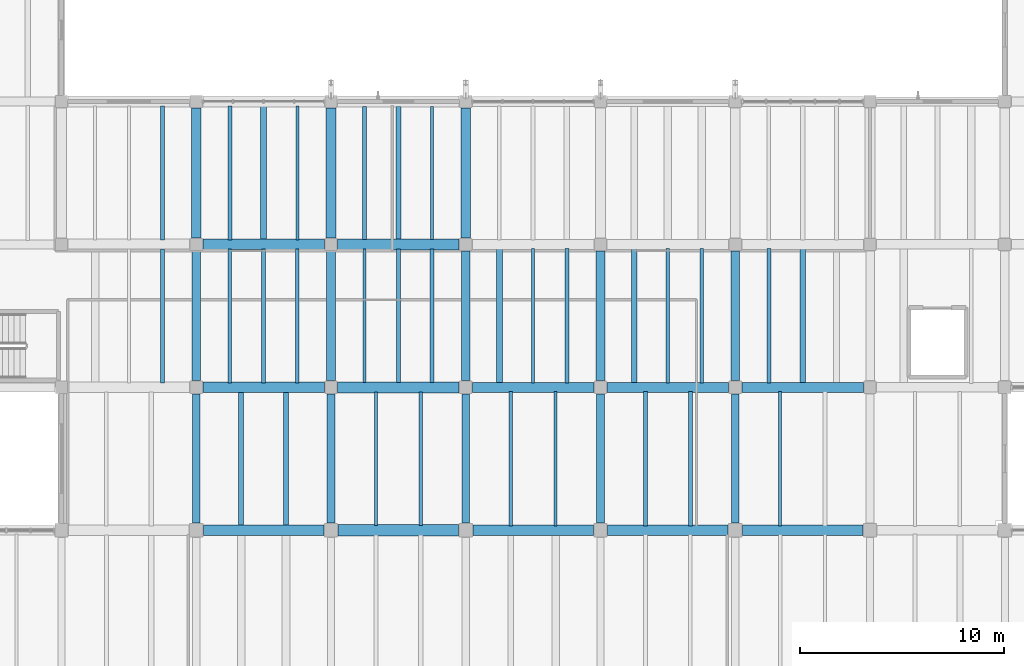
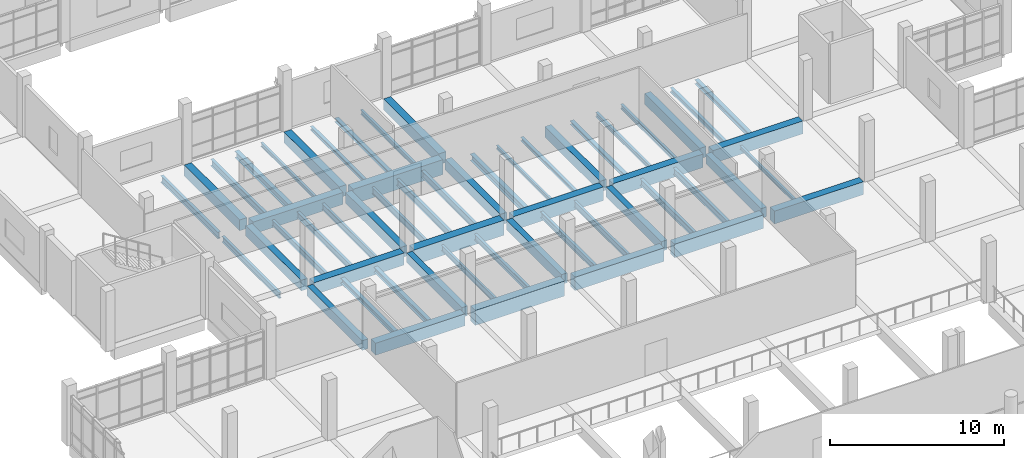
# One storey, part 17 of 68: 56 beams.
"""IFC4 building model written with IfcOpenShell, lengths in metres."""

from ifc_helpers import new_model, si_unit, direction, frame, origin, origin_2d, place, context, subcontext, project, spatial, rectangle, i_section, extrude, material, material_profile, profile_set, type_object, element, save


model = new_model("IFC4")

# Units and contexts
model_context = context("Model", 3, precision=1e-05, world=origin(), true_north=direction((0.0, 1.0)))
body_context = subcontext(model_context, "Body", "Model", "MODEL_VIEW")
ifc_project = project(units=[si_unit("LENGTHUNIT", "METRE"), si_unit("AREAUNIT", "SQUARE_METRE"), si_unit("VOLUMEUNIT", "CUBIC_METRE"), si_unit("PLANEANGLEUNIT", "RADIAN"), si_unit("MASSUNIT", "GRAM", prefix="KILO")], contexts=[model_context])

# Site, building, storey
site_placement = place(None, origin())
site = spatial("IfcSite", under=ifc_project, at=site_placement, CompositionType="ELEMENT")
building_placement = place(site_placement, origin())
building = spatial("IfcBuilding", under=site, at=building_placement, Name="Ciguamira Faculty of Natural Sciences", CompositionType="ELEMENT")
storey_placement = place(building_placement, frame((0.0, 0.0, 4.199951171875)))
storey = spatial("IfcBuildingStorey", under=building, at=storey_placement, Name="L01", CompositionType="ELEMENT", Elevation=4.199951171875)

# Beams
ifc_material_1 = material(Name="Concrete C40/50", Category="concrete")
ifc_material_profile_1 = material_profile(ifc_material_1, rectangle(XDim=0.550048828125, YDim=1.050048828125, at=origin_2d()), Name="RC-BM-550X1050")
ifc_profile_set_1 = profile_set([ifc_material_profile_1], Name="Concrete C40/50")
beam_type_1 = type_object("IfcBeamType", Name="RCBeam_BG-01_RC-BM-550X1050", PredefinedType="BEAM", material=ifc_profile_set_1)
beam_1_placement = place(storey_placement, frame((77.449951171875, 38.0, -0.52490234375), z_axis=(1.0, 0.0, 0.0), x_axis=(0.0, 1.0, 0.0)))
element("IfcBeam", 1, at=beam_1_placement, inside=storey, type_object=beam_type_1, Name="L01 RC girder EW-0450", PredefinedType="BEAM", context=body_context, shape_type="SweptSolid", body=[
    extrude(rectangle(XDim=0.550048828125, YDim=1.050048828125, at=origin_2d()), origin(), (0.0, 0.0, 1.0), 5.900146484375),
])
for number, where, z_axis, x_axis, name in (
    (2, (77.425048828125, 45.0, -0.52490234375), (1.0, 0.0, 0.0), (0.0, 1.0, 0.0), "L01 RC girder EW-0460"),
    (3, (77.425048828125, 52.0, -0.52490234375), (1.0, 0.0, 0.0), (0.0, 1.0, 0.0), "L01 RC girder EW-0469"),
):
    element("IfcBeam", number, at=place(storey_placement, frame(where, z_axis=z_axis, x_axis=x_axis)), inside=storey, type_object=beam_type_1, Name=name, PredefinedType="BEAM", context=body_context, shape_type="SweptSolid", body=[
        extrude(rectangle(XDim=0.550048828125, YDim=1.050048828125, at=origin_2d()), origin(), (0.0, 0.0, 1.0), 5.949951171875),
    ])
ifc_material_profile_2 = material_profile(ifc_material_1, rectangle(XDim=0.5, YDim=0.949951171875, at=origin_2d()), Name="RC-BM-500X950")
ifc_profile_set_2 = profile_set([ifc_material_profile_2], Name="Concrete C40/50")
beam_type_2 = type_object("IfcBeamType", Name="RCBeam_BG-02_RC-BM-500X950", PredefinedType="BEAM", material=ifc_profile_set_2)
beam_2_placement = place(storey_placement, frame((84.050048828125, 38.0, -0.474853515625), z_axis=(1.0, 0.0, 0.0), x_axis=(0.0, 1.0, 0.0)))
element("IfcBeam", 4, at=beam_2_placement, inside=storey, type_object=beam_type_2, Name="L01 RC girder EW-0451", PredefinedType="BEAM", context=body_context, shape_type="SweptSolid", body=[
    extrude(rectangle(XDim=0.5, YDim=0.949951171875, at=origin_2d()), origin(), (0.0, 0.0, 1.0), 5.89990234375),
])
beam_3_placement = place(storey_placement, frame((90.64990234375, 38.0, -0.474853515625), z_axis=(1.0, 0.0, 0.0), x_axis=(0.0, 1.0, 0.0)))
element("IfcBeam", 5, at=beam_3_placement, inside=storey, type_object=beam_type_2, Name="L01 RC girder EW-0452", PredefinedType="BEAM", context=body_context, shape_type="SweptSolid", body=[
    extrude(rectangle(XDim=0.5, YDim=0.949951171875, at=origin_2d()), origin(), (0.0, 0.0, 1.0), 5.900146484375),
])
beam_4_placement = place(storey_placement, frame((84.02490234375, 45.0, -0.474853515625), z_axis=(1.0, 0.0, 0.0), x_axis=(0.0, 1.0, 0.0)))
element("IfcBeam", 6, at=beam_4_placement, inside=storey, type_object=beam_type_2, Name="L01 RC girder EW-0461", PredefinedType="BEAM", context=body_context, shape_type="SweptSolid", body=[
    extrude(rectangle(XDim=0.5, YDim=0.949951171875, at=origin_2d()), origin(), (0.0, 0.0, 1.0), 5.9501953125),
])
beam_5_placement = place(storey_placement, frame((90.625, 45.0, -0.474853515625), z_axis=(1.0, 0.0, 0.0), x_axis=(0.0, 1.0, 0.0)))
element("IfcBeam", 7, at=beam_5_placement, inside=storey, type_object=beam_type_2, Name="L01 RC girder EW-0462", PredefinedType="BEAM", context=body_context, shape_type="SweptSolid", body=[
    extrude(rectangle(XDim=0.5, YDim=0.949951171875, at=origin_2d()), origin(), (0.0, 0.0, 1.0), 5.949951171875),
])
ifc_material_profile_3 = material_profile(ifc_material_1, rectangle(XDim=0.5, YDim=0.89990234375, at=origin_2d()), Name="RC-BM-500X900")
ifc_profile_set_3 = profile_set([ifc_material_profile_3], Name="Concrete C40/50")
beam_type_3 = type_object("IfcBeamType", Name="RCBeam_BG-03_RC-BM-500X900", PredefinedType="BEAM", material=ifc_profile_set_3)
beam_6_placement = place(storey_placement, frame((97.25, 38.0, -0.449951171875), z_axis=(1.0, 0.0, 0.0), x_axis=(0.0, 1.0, 0.0)))
element("IfcBeam", 8, at=beam_6_placement, inside=storey, type_object=beam_type_3, Name="L01 RC girder EW-0453", PredefinedType="BEAM", context=body_context, shape_type="SweptSolid", body=[
    extrude(rectangle(XDim=0.5, YDim=0.89990234375, at=origin_2d()), origin(), (0.0, 0.0, 1.0), 5.89990234375),
])
beam_7_placement = place(storey_placement, frame((97.22509765625, 45.0, -0.449951171875), z_axis=(1.0, 0.0, 0.0), x_axis=(0.0, 1.0, 0.0)))
element("IfcBeam", 9, at=beam_7_placement, inside=storey, type_object=beam_type_3, Name="L01 RC girder EW-0463", PredefinedType="BEAM", context=body_context, shape_type="SweptSolid", body=[
    extrude(rectangle(XDim=0.5, YDim=0.89990234375, at=origin_2d()), origin(), (0.0, 0.0, 1.0), 5.949951171875),
])
ifc_material_profile_4 = material_profile(ifc_material_1, rectangle(XDim=0.419921875, YDim=0.739990234375, at=origin_2d()), Name="RC-BM-420X740")
ifc_profile_set_4 = profile_set([ifc_material_profile_4], Name="Concrete C40/50")
beam_type_4 = type_object("IfcBeamType", Name="RCBeam_BG-07_RC-BM-420X740", PredefinedType="BEAM", material=ifc_profile_set_4)
for number, where, z_axis, x_axis, name in (
    (10, (70.5, 45.324951171875, -0.369873046875), (0.0, 1.0, 0.0), (-1.0, 0.0, 0.0), "L01 girder NS-0600"),
    (11, (77.10009765625, 45.324951171875, -0.369873046875), (0.0, 1.0, 0.0), (-1.0, 0.0, 0.0), "L01 girder NS-0611"),
    (12, (83.699951171875, 45.324951171875, -0.369873046875), (0.0, 1.0, 0.0), (-1.0, 0.0, 0.0), "L01 girder NS-0622"),
    (13, (90.300048828125, 45.324951171875, -0.369873046875), (0.0, 1.0, 0.0), (-1.0, 0.0, 0.0), "L01 girder NS-0634"),
    (14, (96.89990234375, 45.324951171875, -0.369873046875), (0.0, 1.0, 0.0), (-1.0, 0.0, 0.0), "L01 girder NS-0646"),
):
    element("IfcBeam", number, at=place(storey_placement, frame(where, z_axis=z_axis, x_axis=x_axis)), inside=storey, type_object=beam_type_4, Name=name, PredefinedType="BEAM", context=body_context, shape_type="SweptSolid", body=[
        extrude(rectangle(XDim=0.419921875, YDim=0.739990234375, at=origin_2d()), origin(), (0.0, 0.0, 1.0), 6.35009765625),
    ])
ifc_material_profile_5 = material_profile(ifc_material_1, rectangle(XDim=0.3798828125, YDim=0.679931640625, at=origin_2d()), Name="RC-BM-380X680")
ifc_profile_set_5 = profile_set([ifc_material_profile_5], Name="Concrete C40/50")
beam_type_5 = type_object("IfcBeamType", Name="RCBeam_BG-09_RC-BM-380X680", PredefinedType="BEAM", material=ifc_profile_set_5)
for number, where, z_axis, x_axis, name in (
    (15, (70.5, 38.35009765625, -0.33984375), (0.0, 1.0, 0.0), (-1.0, 0.0, 0.0), "L01 girder NS-0599"),
    (16, (77.10009765625, 38.35009765625, -0.33984375), (0.0, 1.0, 0.0), (-1.0, 0.0, 0.0), "L01 girder NS-0610"),
    (17, (83.699951171875, 38.35009765625, -0.33984375), (0.0, 1.0, 0.0), (-1.0, 0.0, 0.0), "L01 girder NS-0621"),
    (18, (90.300048828125, 38.35009765625, -0.33984375), (0.0, 1.0, 0.0), (-1.0, 0.0, 0.0), "L01 girder NS-0633"),
    (19, (96.89990234375, 38.35009765625, -0.33984375), (0.0, 1.0, 0.0), (-1.0, 0.0, 0.0), "L01 girder NS-0645"),
):
    element("IfcBeam", number, at=place(storey_placement, frame(where, z_axis=z_axis, x_axis=x_axis)), inside=storey, type_object=beam_type_5, Name=name, PredefinedType="BEAM", context=body_context, shape_type="SweptSolid", body=[
        extrude(rectangle(XDim=0.3798828125, YDim=0.679931640625, at=origin_2d()), origin(), (0.0, 0.0, 1.0), 6.324951171875),
    ])
ifc_material_profile_6 = material_profile(ifc_material_1, rectangle(XDim=0.47998046875, YDim=0.760009765625, at=origin_2d()), Name="RC-TB-480X760")
ifc_profile_set_6 = profile_set([ifc_material_profile_6], Name="Concrete C40/50")
beam_type_6 = type_object("IfcBeamType", Name="RCBeam_TB-01_RC-TB-480X760", PredefinedType="T_BEAM", material=ifc_profile_set_6)
for number, where, z_axis, x_axis, name in (
    (20, (70.5, 52.324951171875, -0.3798828125), (0.0, 1.0, 0.0), (-1.0, 0.0, 0.0), "L01 girder NS-0601"),
    (21, (77.10009765625, 52.324951171875, -0.3798828125), (0.0, 1.0, 0.0), (-1.0, 0.0, 0.0), "L01 girder NS-0612"),
    (22, (83.699951171875, 52.324951171875, -0.3798828125), (0.0, 1.0, 0.0), (-1.0, 0.0, 0.0), "L01 girder NS-0623"),
):
    element("IfcBeam", number, at=place(storey_placement, frame(where, z_axis=z_axis, x_axis=x_axis)), inside=storey, type_object=beam_type_6, Name=name, PredefinedType="T_BEAM", context=body_context, shape_type="SweptSolid", body=[
        extrude(rectangle(XDim=0.47998046875, YDim=0.760009765625, at=origin_2d()), origin(), (0.0, 0.0, 1.0), 6.35009765625),
    ])
ifc_material_profile_7 = material_profile(ifc_material_1, rectangle(XDim=0.52001953125, YDim=0.840087890625, at=origin_2d()), Name="RC-TB-520X840")
ifc_profile_set_7 = profile_set([ifc_material_profile_7], Name="Concrete C40/50")
beam_type_7 = type_object("IfcBeamType", Name="RCBeam_TB-02_RC-TB-520X840", PredefinedType="T_BEAM", material=ifc_profile_set_7)
beam_8_placement = place(storey_placement, frame((70.85009765625, 38.0, -0.419921875), z_axis=(1.0, 0.0, 0.0), x_axis=(0.0, 1.0, 0.0)))
element("IfcBeam", 23, at=beam_8_placement, inside=storey, type_object=beam_type_7, Name="L01 RC girder EW-0449", PredefinedType="T_BEAM", context=body_context, shape_type="SweptSolid", body=[
    extrude(rectangle(XDim=0.52001953125, YDim=0.840087890625, at=origin_2d()), origin(), (0.0, 0.0, 1.0), 5.89990234375),
])
for number, where, z_axis, x_axis, name in (
    (24, (70.824951171875, 45.0, -0.419921875), (1.0, 0.0, 0.0), (0.0, 1.0, 0.0), "L01 RC girder EW-0459"),
    (25, (70.824951171875, 52.0, -0.419921875), (1.0, 0.0, 0.0), (0.0, 1.0, 0.0), "L01 RC girder EW-0468"),
):
    element("IfcBeam", number, at=place(storey_placement, frame(where, z_axis=z_axis, x_axis=x_axis)), inside=storey, type_object=beam_type_7, Name=name, PredefinedType="T_BEAM", context=body_context, shape_type="SweptSolid", body=[
        extrude(rectangle(XDim=0.52001953125, YDim=0.840087890625, at=origin_2d()), origin(), (0.0, 0.0, 1.0), 5.949951171875),
    ])
ifc_material_2 = material(Name="Steel ASTM A992 Grade 50", Category="steel")
ifc_material_profile_8 = material_profile(ifc_material_2, i_section(OverallWidth=0.14599609375, OverallDepth=0.259033203125, WebThickness=0.006103515625, FlangeThickness=0.009033203125, at=origin_2d()), Name="W10X22")
ifc_profile_set_8 = profile_set([ifc_material_profile_8], Name="Steel ASTM A992 Grade 50")
beam_type_8 = type_object("IfcBeamType", Name="SteelJoist_SJ-01_W10X22", PredefinedType="JOIST", material=ifc_profile_set_8)
beam_9_placement = place(storey_placement, frame((75.449951171875, 52.219970703125, -0.409423828125), z_axis=(0.0, 1.0, 0.0), x_axis=(-1.0, 0.0, 0.0)))
element("IfcBeam", 26, at=beam_9_placement, inside=storey, type_object=beam_type_8, Name="L01 composite steel joist 00454", PredefinedType="JOIST", context=body_context, shape_type="SweptSolid", body=[
    extrude(i_section(OverallWidth=0.14599609375, OverallDepth=0.259033203125, WebThickness=0.006103515625, FlangeThickness=0.009033203125, at=origin_2d()), origin(), (0.0, 0.0, 1.0), 6.56005859375),
])
for number, where, z_axis, x_axis, name in (
    (27, (87.0, 45.2099609375, -0.409423828125), (0.0, 1.0, 0.0), (-1.0, 0.0, 0.0), "L01 composite steel joist 00501"),
    (28, (99.10009765625, 38.2099609375, -0.409423828125), (0.0, 1.0, 0.0), (-1.0, 0.0, 0.0), "L01 composite steel joist 00549"),
):
    element("IfcBeam", number, at=place(storey_placement, frame(where, z_axis=z_axis, x_axis=x_axis)), inside=storey, type_object=beam_type_8, Name=name, PredefinedType="JOIST", context=body_context, shape_type="SweptSolid", body=[
        extrude(i_section(OverallWidth=0.14599609375, OverallDepth=0.259033203125, WebThickness=0.006103515625, FlangeThickness=0.009033203125, at=origin_2d()), origin(), (0.0, 0.0, 1.0), 6.580078125),
    ])
ifc_material_profile_9 = material_profile(ifc_material_2, i_section(OverallWidth=0.2021484375, OverallDepth=0.2470703125, WebThickness=0.00732421875, FlangeThickness=0.010986328125, at=origin_2d()), Name="W10X33")
ifc_profile_set_9 = profile_set([ifc_material_profile_9], Name="Steel ASTM A992 Grade 50")
beam_type_9 = type_object("IfcBeamType", Name="SteelJoist_SJ-02_W10X33", PredefinedType="JOIST", material=ifc_profile_set_9)
beam_10_placement = place(storey_placement, frame((78.75, 52.235107421875, -0.403564453125), z_axis=(0.0, 1.0, 0.0), x_axis=(-1.0, 0.0, 0.0)))
element("IfcBeam", 29, at=beam_10_placement, inside=storey, type_object=beam_type_9, Name="L01 composite steel joist 00477", PredefinedType="JOIST", context=body_context, shape_type="SweptSolid", body=[
    extrude(i_section(OverallWidth=0.2021484375, OverallDepth=0.2470703125, WebThickness=0.00732421875, FlangeThickness=0.010986328125, at=origin_2d()), origin(), (0.0, 0.0, 1.0), 6.52978515625),
])
beam_11_placement = place(storey_placement, frame((88.64990234375, 45.2099609375, -0.403564453125), z_axis=(0.0, 1.0, 0.0), x_axis=(-1.0, 0.0, 0.0)))
element("IfcBeam", 30, at=beam_11_placement, inside=storey, type_object=beam_type_9, Name="L01 composite steel joist 00502", PredefinedType="JOIST", context=body_context, shape_type="SweptSolid", body=[
    extrude(i_section(OverallWidth=0.2021484375, OverallDepth=0.2470703125, WebThickness=0.00732421875, FlangeThickness=0.010986328125, at=origin_2d()), origin(), (0.0, 0.0, 1.0), 6.580078125),
])
ifc_material_profile_10 = material_profile(ifc_material_2, i_section(OverallWidth=0.25390625, OverallDepth=0.25390625, WebThickness=0.008544921875, FlangeThickness=0.01416015625, at=origin_2d()), Name="W10X49")
ifc_profile_set_10 = profile_set([ifc_material_profile_10], Name="Steel ASTM A992 Grade 50")
beam_type_10 = type_object("IfcBeamType", Name="SteelJoist_SJ-03_W10X49", PredefinedType="JOIST", material=ifc_profile_set_10)
beam_12_placement = place(storey_placement, frame((80.39990234375, 52.235107421875, -0.406982421875), z_axis=(0.0, 1.0, 0.0), x_axis=(-1.0, 0.0, 0.0)))
element("IfcBeam", 31, at=beam_12_placement, inside=storey, type_object=beam_type_10, Name="L01 composite steel joist 00478", PredefinedType="JOIST", context=body_context, shape_type="SweptSolid", body=[
    extrude(i_section(OverallWidth=0.25390625, OverallDepth=0.25390625, WebThickness=0.008544921875, FlangeThickness=0.01416015625, at=origin_2d()), origin(), (0.0, 0.0, 1.0), 6.52978515625),
])
beam_13_placement = place(storey_placement, frame((91.949951171875, 45.2099609375, -0.406982421875), z_axis=(0.0, 1.0, 0.0), x_axis=(-1.0, 0.0, 0.0)))
element("IfcBeam", 32, at=beam_13_placement, inside=storey, type_object=beam_type_10, Name="L01 composite steel joist 00525", PredefinedType="JOIST", context=body_context, shape_type="SweptSolid", body=[
    extrude(i_section(OverallWidth=0.25390625, OverallDepth=0.25390625, WebThickness=0.008544921875, FlangeThickness=0.01416015625, at=origin_2d()), origin(), (0.0, 0.0, 1.0), 6.580078125),
])
ifc_material_profile_11 = material_profile(ifc_material_2, i_section(OverallWidth=0.164794921875, OverallDepth=0.309814453125, WebThickness=0.005859375, FlangeThickness=0.009765625, at=origin_2d()), Name="W12X26")
ifc_profile_set_11 = profile_set([ifc_material_profile_11], Name="Steel ASTM A992 Grade 50")
beam_type_11 = type_object("IfcBeamType", Name="SteelJoist_SJ-04_W12X26", PredefinedType="JOIST", material=ifc_profile_set_11)
beam_14_placement = place(storey_placement, frame((82.050048828125, 52.235107421875, -0.434814453125), z_axis=(0.0, 1.0, 0.0), x_axis=(-1.0, 0.0, 0.0)))
element("IfcBeam", 33, at=beam_14_placement, inside=storey, type_object=beam_type_11, Name="L01 composite steel joist 00479", PredefinedType="JOIST", context=body_context, shape_type="SweptSolid", body=[
    extrude(i_section(OverallWidth=0.164794921875, OverallDepth=0.309814453125, WebThickness=0.005859375, FlangeThickness=0.009765625, at=origin_2d()), origin(), (0.0, 0.0, 1.0), 6.52978515625),
])
beam_15_placement = place(storey_placement, frame((93.60009765625, 45.2099609375, -0.434814453125), z_axis=(0.0, 1.0, 0.0), x_axis=(-1.0, 0.0, 0.0)))
element("IfcBeam", 34, at=beam_15_placement, inside=storey, type_object=beam_type_11, Name="L01 composite steel joist 00526", PredefinedType="JOIST", context=body_context, shape_type="SweptSolid", body=[
    extrude(i_section(OverallWidth=0.164794921875, OverallDepth=0.309814453125, WebThickness=0.005859375, FlangeThickness=0.009765625, at=origin_2d()), origin(), (0.0, 0.0, 1.0), 6.580078125),
])
ifc_material_profile_12 = material_profile(ifc_material_2, i_section(OverallWidth=0.16650390625, OverallDepth=0.3173828125, WebThickness=0.007568359375, FlangeThickness=0.01318359375, at=origin_2d()), Name="W12X35")
ifc_profile_set_12 = profile_set([ifc_material_profile_12], Name="Steel ASTM A992 Grade 50")
beam_type_12 = type_object("IfcBeamType", Name="SteelJoist_SJ-05_W12X35", PredefinedType="JOIST", material=ifc_profile_set_12)
beam_16_placement = place(storey_placement, frame((95.25, 45.2099609375, -0.438720703125), z_axis=(0.0, 1.0, 0.0), x_axis=(-1.0, 0.0, 0.0)))
element("IfcBeam", 35, at=beam_16_placement, inside=storey, type_object=beam_type_12, Name="L01 composite steel joist 00527", PredefinedType="JOIST", context=body_context, shape_type="SweptSolid", body=[
    extrude(i_section(OverallWidth=0.16650390625, OverallDepth=0.3173828125, WebThickness=0.007568359375, FlangeThickness=0.01318359375, at=origin_2d()), origin(), (0.0, 0.0, 1.0), 6.580078125),
])
ifc_material_profile_13 = material_profile(ifc_material_2, i_section(OverallWidth=0.20458984375, OverallDepth=0.307373046875, WebThickness=0.008544921875, FlangeThickness=0.0146484375, at=origin_2d()), Name="W12X45")
ifc_profile_set_13 = profile_set([ifc_material_profile_13], Name="Steel ASTM A992 Grade 50")
beam_type_13 = type_object("IfcBeamType", Name="SteelJoist_SJ-06_W12X45", PredefinedType="JOIST", material=ifc_profile_set_13)
beam_17_placement = place(storey_placement, frame((98.550048828125, 45.2099609375, -0.43359375), z_axis=(0.0, 1.0, 0.0), x_axis=(-1.0, 0.0, 0.0)))
element("IfcBeam", 36, at=beam_17_placement, inside=storey, type_object=beam_type_13, Name="L01 composite steel joist 00551", PredefinedType="JOIST", context=body_context, shape_type="SweptSolid", body=[
    extrude(i_section(OverallWidth=0.20458984375, OverallDepth=0.307373046875, WebThickness=0.008544921875, FlangeThickness=0.0146484375, at=origin_2d()), origin(), (0.0, 0.0, 1.0), 6.580078125),
])
ifc_material_profile_14 = material_profile(ifc_material_2, i_section(OverallWidth=0.25390625, OverallDepth=0.307373046875, WebThickness=0.0087890625, FlangeThickness=0.0146484375, at=origin_2d()), Name="W12X53")
ifc_profile_set_14 = profile_set([ifc_material_profile_14], Name="Steel ASTM A992 Grade 50")
beam_type_14 = type_object("IfcBeamType", Name="SteelJoist_SJ-07_W12X53", PredefinedType="JOIST", material=ifc_profile_set_14)
beam_18_placement = place(storey_placement, frame((100.199951171875, 45.2099609375, -0.43359375), z_axis=(0.0, 1.0, 0.0), x_axis=(-1.0, 0.0, 0.0)))
element("IfcBeam", 37, at=beam_18_placement, inside=storey, type_object=beam_type_14, Name="L01 composite steel joist 00552", PredefinedType="JOIST", context=body_context, shape_type="SweptSolid", body=[
    extrude(i_section(OverallWidth=0.25390625, OverallDepth=0.307373046875, WebThickness=0.0087890625, FlangeThickness=0.0146484375, at=origin_2d()), origin(), (0.0, 0.0, 1.0), 6.580078125),
])
ifc_material_profile_15 = material_profile(ifc_material_2, i_section(OverallWidth=0.25390625, OverallDepth=0.355712890625, WebThickness=0.010498046875, FlangeThickness=0.018310546875, at=origin_2d()), Name="W14X68")
ifc_profile_set_15 = profile_set([ifc_material_profile_15], Name="Steel ASTM A992 Grade 50")
beam_type_15 = type_object("IfcBeamType", Name="SteelJoist_SJ-14_W14X68", PredefinedType="JOIST", material=ifc_profile_set_15)
beam_19_placement = place(storey_placement, frame((72.699951171875, 38.219970703125, -0.457763671875), z_axis=(0.0, 1.0, 0.0), x_axis=(-1.0, 0.0, 0.0)))
element("IfcBeam", 38, at=beam_19_placement, inside=storey, type_object=beam_type_15, Name="L01 composite steel joist 00447", PredefinedType="JOIST", context=body_context, shape_type="SweptSolid", body=[
    extrude(i_section(OverallWidth=0.25390625, OverallDepth=0.355712890625, WebThickness=0.010498046875, FlangeThickness=0.018310546875, at=origin_2d()), origin(), (0.0, 0.0, 1.0), 6.56005859375),
])
ifc_material_profile_16 = material_profile(ifc_material_2, i_section(OverallWidth=0.256591796875, OverallDepth=0.36328125, WebThickness=0.012939453125, FlangeThickness=0.021728515625, at=origin_2d()), Name="W14X82")
ifc_profile_set_16 = profile_set([ifc_material_profile_16], Name="Steel ASTM A992 Grade 50")
beam_type_16 = type_object("IfcBeamType", Name="SteelJoist_SJ-15_W14X82", PredefinedType="JOIST", material=ifc_profile_set_16)
beam_20_placement = place(storey_placement, frame((74.89990234375, 38.219970703125, -0.461669921875), z_axis=(0.0, 1.0, 0.0), x_axis=(-1.0, 0.0, 0.0)))
element("IfcBeam", 39, at=beam_20_placement, inside=storey, type_object=beam_type_16, Name="L01 composite steel joist 00448", PredefinedType="JOIST", context=body_context, shape_type="SweptSolid", body=[
    extrude(i_section(OverallWidth=0.256591796875, OverallDepth=0.36328125, WebThickness=0.012939453125, FlangeThickness=0.021728515625, at=origin_2d()), origin(), (0.0, 0.0, 1.0), 6.56005859375),
])
ifc_material_profile_17 = material_profile(ifc_material_2, i_section(OverallWidth=0.140380859375, OverallDepth=0.40380859375, WebThickness=0.007080078125, FlangeThickness=0.01123046875, at=origin_2d()), Name="W16X31")
ifc_profile_set_17 = profile_set([ifc_material_profile_17], Name="Steel ASTM A992 Grade 50")
beam_type_17 = type_object("IfcBeamType", Name="SteelJoist_SJ-17_W16X31", PredefinedType="JOIST", material=ifc_profile_set_17)
beam_21_placement = place(storey_placement, frame((79.300048828125, 38.235107421875, -0.48193359375), z_axis=(0.0, 1.0, 0.0), x_axis=(-1.0, 0.0, 0.0)))
element("IfcBeam", 40, at=beam_21_placement, inside=storey, type_object=beam_type_17, Name="L01 composite steel joist 00472", PredefinedType="JOIST", context=body_context, shape_type="SweptSolid", body=[
    extrude(i_section(OverallWidth=0.140380859375, OverallDepth=0.40380859375, WebThickness=0.007080078125, FlangeThickness=0.01123046875, at=origin_2d()), origin(), (0.0, 0.0, 1.0), 6.52978515625),
])
ifc_material_profile_18 = material_profile(ifc_material_2, i_section(OverallWidth=0.177490234375, OverallDepth=0.40380859375, WebThickness=0.007568359375, FlangeThickness=0.010986328125, at=origin_2d()), Name="W16X36")
ifc_profile_set_18 = profile_set([ifc_material_profile_18], Name="Steel ASTM A992 Grade 50")
beam_type_18 = type_object("IfcBeamType", Name="SteelJoist_SJ-18_W16X36", PredefinedType="JOIST", material=ifc_profile_set_18)
beam_22_placement = place(storey_placement, frame((68.85009765625, 45.219970703125, -0.48193359375), z_axis=(0.0, 1.0, 0.0), x_axis=(-1.0, 0.0, 0.0)))
element("IfcBeam", 41, at=beam_22_placement, inside=storey, type_object=beam_type_18, Name="L01 composite steel joist 00425", PredefinedType="JOIST", context=body_context, shape_type="SweptSolid", body=[
    extrude(i_section(OverallWidth=0.177490234375, OverallDepth=0.40380859375, WebThickness=0.007568359375, FlangeThickness=0.010986328125, at=origin_2d()), origin(), (0.0, 0.0, 1.0), 6.56005859375),
])
beam_23_placement = place(storey_placement, frame((81.5, 38.235107421875, -0.48193359375), z_axis=(0.0, 1.0, 0.0), x_axis=(-1.0, 0.0, 0.0)))
element("IfcBeam", 42, at=beam_23_placement, inside=storey, type_object=beam_type_18, Name="L01 composite steel joist 00473", PredefinedType="JOIST", context=body_context, shape_type="SweptSolid", body=[
    extrude(i_section(OverallWidth=0.177490234375, OverallDepth=0.40380859375, WebThickness=0.007568359375, FlangeThickness=0.010986328125, at=origin_2d()), origin(), (0.0, 0.0, 1.0), 6.52978515625),
])
ifc_material_profile_19 = material_profile(ifc_material_2, i_section(OverallWidth=0.1787109375, OverallDepth=0.408935546875, WebThickness=0.0087890625, FlangeThickness=0.014404296875, at=origin_2d()), Name="W16X45")
ifc_profile_set_19 = profile_set([ifc_material_profile_19], Name="Steel ASTM A992 Grade 50")
beam_type_19 = type_object("IfcBeamType", Name="SteelJoist_SJ-19_W16X45", PredefinedType="JOIST", material=ifc_profile_set_19)
beam_24_placement = place(storey_placement, frame((72.14990234375, 45.219970703125, -0.484375), z_axis=(0.0, 1.0, 0.0), x_axis=(-1.0, 0.0, 0.0)))
element("IfcBeam", 43, at=beam_24_placement, inside=storey, type_object=beam_type_19, Name="L01 composite steel joist 00449", PredefinedType="JOIST", context=body_context, shape_type="SweptSolid", body=[
    extrude(i_section(OverallWidth=0.1787109375, OverallDepth=0.408935546875, WebThickness=0.0087890625, FlangeThickness=0.014404296875, at=origin_2d()), origin(), (0.0, 0.0, 1.0), 6.56005859375),
])
ifc_material_profile_20 = material_profile(ifc_material_2, i_section(OverallWidth=0.180908203125, OverallDepth=0.41650390625, WebThickness=0.010986328125, FlangeThickness=0.01806640625, at=origin_2d()), Name="W16X57")
ifc_profile_set_20 = profile_set([ifc_material_profile_20], Name="Steel ASTM A992 Grade 50")
beam_type_20 = type_object("IfcBeamType", Name="SteelJoist_SJ-20_W16X57", PredefinedType="JOIST", material=ifc_profile_set_20)
beam_25_placement = place(storey_placement, frame((73.800048828125, 45.219970703125, -0.48828125), z_axis=(0.0, 1.0, 0.0), x_axis=(-1.0, 0.0, 0.0)))
element("IfcBeam", 44, at=beam_25_placement, inside=storey, type_object=beam_type_20, Name="L01 composite steel joist 00450", PredefinedType="JOIST", context=body_context, shape_type="SweptSolid", body=[
    extrude(i_section(OverallWidth=0.180908203125, OverallDepth=0.41650390625, WebThickness=0.010986328125, FlangeThickness=0.01806640625, at=origin_2d()), origin(), (0.0, 0.0, 1.0), 6.56005859375),
])
beam_26_placement = place(storey_placement, frame((85.89990234375, 38.2099609375, -0.48828125), z_axis=(0.0, 1.0, 0.0), x_axis=(-1.0, 0.0, 0.0)))
element("IfcBeam", 45, at=beam_26_placement, inside=storey, type_object=beam_type_20, Name="L01 composite steel joist 00498", PredefinedType="JOIST", context=body_context, shape_type="SweptSolid", body=[
    extrude(i_section(OverallWidth=0.180908203125, OverallDepth=0.41650390625, WebThickness=0.010986328125, FlangeThickness=0.01806640625, at=origin_2d()), origin(), (0.0, 0.0, 1.0), 6.580078125),
])
ifc_material_profile_21 = material_profile(ifc_material_2, i_section(OverallWidth=0.15234375, OverallDepth=0.449462890625, WebThickness=0.007568359375, FlangeThickness=0.0107421875, at=origin_2d()), Name="W18X35")
ifc_profile_set_21 = profile_set([ifc_material_profile_21], Name="Steel ASTM A992 Grade 50")
beam_type_21 = type_object("IfcBeamType", Name="SteelJoist_SJ-21_W18X35", PredefinedType="JOIST", material=ifc_profile_set_21)
beam_27_placement = place(storey_placement, frame((75.449951171875, 45.219970703125, -0.504638671875), z_axis=(0.0, 1.0, 0.0), x_axis=(-1.0, 0.0, 0.0)))
element("IfcBeam", 46, at=beam_27_placement, inside=storey, type_object=beam_type_21, Name="L01 composite steel joist 00451", PredefinedType="JOIST", context=body_context, shape_type="SweptSolid", body=[
    extrude(i_section(OverallWidth=0.15234375, OverallDepth=0.449462890625, WebThickness=0.007568359375, FlangeThickness=0.0107421875, at=origin_2d()), origin(), (0.0, 0.0, 1.0), 6.56005859375),
])
beam_28_placement = place(storey_placement, frame((88.10009765625, 38.2099609375, -0.504638671875), z_axis=(0.0, 1.0, 0.0), x_axis=(-1.0, 0.0, 0.0)))
element("IfcBeam", 47, at=beam_28_placement, inside=storey, type_object=beam_type_21, Name="L01 composite steel joist 00499", PredefinedType="JOIST", context=body_context, shape_type="SweptSolid", body=[
    extrude(i_section(OverallWidth=0.15234375, OverallDepth=0.449462890625, WebThickness=0.007568359375, FlangeThickness=0.0107421875, at=origin_2d()), origin(), (0.0, 0.0, 1.0), 6.580078125),
])
ifc_material_profile_22 = material_profile(ifc_material_2, i_section(OverallWidth=0.15283203125, OverallDepth=0.45458984375, WebThickness=0.008056640625, FlangeThickness=0.013427734375, at=origin_2d()), Name="W18X40")
ifc_profile_set_22 = profile_set([ifc_material_profile_22], Name="Steel ASTM A992 Grade 50")
beam_type_22 = type_object("IfcBeamType", Name="SteelJoist_SJ-22_W18X40", PredefinedType="JOIST", material=ifc_profile_set_22)
beam_29_placement = place(storey_placement, frame((78.75, 45.235107421875, -0.50732421875), z_axis=(0.0, 1.0, 0.0), x_axis=(-1.0, 0.0, 0.0)))
element("IfcBeam", 48, at=beam_29_placement, inside=storey, type_object=beam_type_22, Name="L01 composite steel joist 00474", PredefinedType="JOIST", context=body_context, shape_type="SweptSolid", body=[
    extrude(i_section(OverallWidth=0.15283203125, OverallDepth=0.45458984375, WebThickness=0.008056640625, FlangeThickness=0.013427734375, at=origin_2d()), origin(), (0.0, 0.0, 1.0), 6.52978515625),
])
ifc_material_profile_23 = material_profile(ifc_material_2, i_section(OverallWidth=0.1904296875, OverallDepth=0.457275390625, WebThickness=0.009033203125, FlangeThickness=0.014404296875, at=origin_2d()), Name="W18X50")
ifc_profile_set_23 = profile_set([ifc_material_profile_23], Name="Steel ASTM A992 Grade 50")
beam_type_23 = type_object("IfcBeamType", Name="SteelJoist_SJ-23_W18X50", PredefinedType="JOIST", material=ifc_profile_set_23)
beam_30_placement = place(storey_placement, frame((68.85009765625, 52.219970703125, -0.508544921875), z_axis=(0.0, 1.0, 0.0), x_axis=(-1.0, 0.0, 0.0)))
element("IfcBeam", 49, at=beam_30_placement, inside=storey, type_object=beam_type_23, Name="L01 composite steel joist 00428", PredefinedType="JOIST", context=body_context, shape_type="SweptSolid", body=[
    extrude(i_section(OverallWidth=0.1904296875, OverallDepth=0.457275390625, WebThickness=0.009033203125, FlangeThickness=0.014404296875, at=origin_2d()), origin(), (0.0, 0.0, 1.0), 6.56005859375),
])
beam_31_placement = place(storey_placement, frame((80.39990234375, 45.235107421875, -0.508544921875), z_axis=(0.0, 1.0, 0.0), x_axis=(-1.0, 0.0, 0.0)))
element("IfcBeam", 50, at=beam_31_placement, inside=storey, type_object=beam_type_23, Name="L01 composite steel joist 00475", PredefinedType="JOIST", context=body_context, shape_type="SweptSolid", body=[
    extrude(i_section(OverallWidth=0.1904296875, OverallDepth=0.457275390625, WebThickness=0.009033203125, FlangeThickness=0.014404296875, at=origin_2d()), origin(), (0.0, 0.0, 1.0), 6.52978515625),
])
beam_32_placement = place(storey_placement, frame((92.5, 38.2099609375, -0.508544921875), z_axis=(0.0, 1.0, 0.0), x_axis=(-1.0, 0.0, 0.0)))
element("IfcBeam", 51, at=beam_32_placement, inside=storey, type_object=beam_type_23, Name="L01 composite steel joist 00523", PredefinedType="JOIST", context=body_context, shape_type="SweptSolid", body=[
    extrude(i_section(OverallWidth=0.1904296875, OverallDepth=0.457275390625, WebThickness=0.009033203125, FlangeThickness=0.014404296875, at=origin_2d()), origin(), (0.0, 0.0, 1.0), 6.580078125),
])
ifc_material_profile_24 = material_profile(ifc_material_2, i_section(OverallWidth=0.19287109375, OverallDepth=0.46728515625, WebThickness=0.011474609375, FlangeThickness=0.01904296875, at=origin_2d()), Name="W18X65")
ifc_profile_set_24 = profile_set([ifc_material_profile_24], Name="Steel ASTM A992 Grade 50")
beam_type_24 = type_object("IfcBeamType", Name="SteelJoist_SJ-24_W18X65", PredefinedType="JOIST", material=ifc_profile_set_24)
beam_33_placement = place(storey_placement, frame((72.14990234375, 52.219970703125, -0.513671875), z_axis=(0.0, 1.0, 0.0), x_axis=(-1.0, 0.0, 0.0)))
element("IfcBeam", 52, at=beam_33_placement, inside=storey, type_object=beam_type_24, Name="L01 composite steel joist 00452", PredefinedType="JOIST", context=body_context, shape_type="SweptSolid", body=[
    extrude(i_section(OverallWidth=0.19287109375, OverallDepth=0.46728515625, WebThickness=0.011474609375, FlangeThickness=0.01904296875, at=origin_2d()), origin(), (0.0, 0.0, 1.0), 6.56005859375),
])
beam_34_placement = place(storey_placement, frame((82.050048828125, 45.235107421875, -0.513671875), z_axis=(0.0, 1.0, 0.0), x_axis=(-1.0, 0.0, 0.0)))
element("IfcBeam", 53, at=beam_34_placement, inside=storey, type_object=beam_type_24, Name="L01 composite steel joist 00476", PredefinedType="JOIST", context=body_context, shape_type="SweptSolid", body=[
    extrude(i_section(OverallWidth=0.19287109375, OverallDepth=0.46728515625, WebThickness=0.011474609375, FlangeThickness=0.01904296875, at=origin_2d()), origin(), (0.0, 0.0, 1.0), 6.52978515625),
])
beam_35_placement = place(storey_placement, frame((94.699951171875, 38.2099609375, -0.513671875), z_axis=(0.0, 1.0, 0.0), x_axis=(-1.0, 0.0, 0.0)))
element("IfcBeam", 54, at=beam_35_placement, inside=storey, type_object=beam_type_24, Name="L01 composite steel joist 00524", PredefinedType="JOIST", context=body_context, shape_type="SweptSolid", body=[
    extrude(i_section(OverallWidth=0.19287109375, OverallDepth=0.46728515625, WebThickness=0.011474609375, FlangeThickness=0.01904296875, at=origin_2d()), origin(), (0.0, 0.0, 1.0), 6.580078125),
])
ifc_material_profile_25 = material_profile(ifc_material_2, i_section(OverallWidth=0.279296875, OverallDepth=0.462158203125, WebThickness=0.0107421875, FlangeThickness=0.017333984375, at=origin_2d()), Name="W18X76")
ifc_profile_set_25 = profile_set([ifc_material_profile_25], Name="Steel ASTM A992 Grade 50")
beam_type_25 = type_object("IfcBeamType", Name="SteelJoist_SJ-25_W18X76", PredefinedType="JOIST", material=ifc_profile_set_25)
beam_36_placement = place(storey_placement, frame((73.800048828125, 52.219970703125, -0.510986328125), z_axis=(0.0, 1.0, 0.0), x_axis=(-1.0, 0.0, 0.0)))
element("IfcBeam", 55, at=beam_36_placement, inside=storey, type_object=beam_type_25, Name="L01 composite steel joist 00453", PredefinedType="JOIST", context=body_context, shape_type="SweptSolid", body=[
    extrude(i_section(OverallWidth=0.279296875, OverallDepth=0.462158203125, WebThickness=0.0107421875, FlangeThickness=0.017333984375, at=origin_2d()), origin(), (0.0, 0.0, 1.0), 6.56005859375),
])
beam_37_placement = place(storey_placement, frame((85.35009765625, 45.2099609375, -0.510986328125), z_axis=(0.0, 1.0, 0.0), x_axis=(-1.0, 0.0, 0.0)))
element("IfcBeam", 56, at=beam_37_placement, inside=storey, type_object=beam_type_25, Name="L01 composite steel joist 00500", PredefinedType="JOIST", context=body_context, shape_type="SweptSolid", body=[
    extrude(i_section(OverallWidth=0.279296875, OverallDepth=0.462158203125, WebThickness=0.0107421875, FlangeThickness=0.017333984375, at=origin_2d()), origin(), (0.0, 0.0, 1.0), 6.580078125),
])

save(model, "model.ifc")
